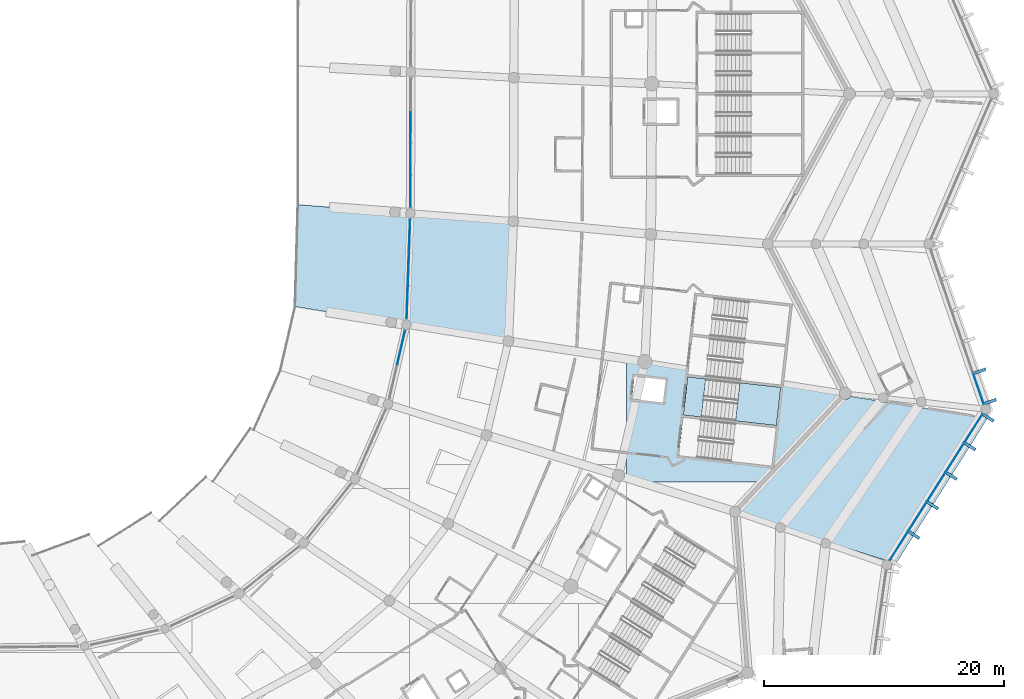
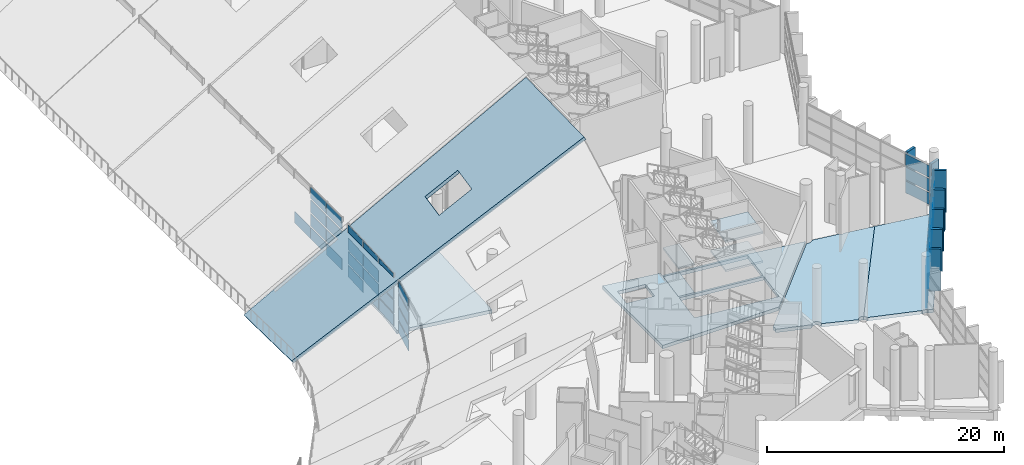
# One storey, part 112 of 249: 50 plates, 9 slabs, 6 elements without a shape of their own.
"""IFC4 building model written with IfcOpenShell, lengths in metres."""

from ifc_helpers import new_model, si_unit, direction, frame, origin, origin_2d, place, context, subcontext, project, spatial, polyline, rectangle, outline, extrude, material, layer, layer_set, type_object, element, aggregate, save


model = new_model("IFC4")

# Units and contexts
model_context = context("Model", 3, precision=1e-05, world=origin(), true_north=direction((0.0, 1.0)))
body_context = subcontext(model_context, "Body", "Model", "MODEL_VIEW")
ifc_project = project(units=[si_unit("LENGTHUNIT", "METRE"), si_unit("AREAUNIT", "SQUARE_METRE"), si_unit("VOLUMEUNIT", "CUBIC_METRE"), si_unit("PLANEANGLEUNIT", "RADIAN"), si_unit("MASSUNIT", "GRAM", prefix="KILO")], contexts=[model_context])

# Site, building, storey
site_placement = place(None, origin())
site = spatial("IfcSite", under=ifc_project, at=site_placement, CompositionType="ELEMENT")
building_placement = place(site_placement, origin())
building = spatial("IfcBuilding", under=site, at=building_placement, Name="Meseta Stadium", CompositionType="ELEMENT")
storey_placement = place(building_placement, frame((0.0, 0.0, 12.0)))
storey = spatial("IfcBuildingStorey", under=building, at=storey_placement, Name="L02", CompositionType="ELEMENT", Elevation=12.0)

# Curtain wall, plates
ifc_material_1 = material(Name="Aluminium", Category="aluminium")
ifc_layer_1 = layer(ifc_material_1, 0.199951171875)
ifc_layer_set_1 = layer_set([ifc_layer_1], Name="Suite glazing curtain wall")
curtain_wall_type_1 = type_object("IfcCurtainWallType", Name="Suite glazing curtain wall", PredefinedType="NOTDEFINED", material=ifc_layer_set_1)
curtain_wall_1_placement = place(storey_placement, origin())
curtain_wall_1 = element("IfcCurtainWall", 1, at=curtain_wall_1_placement, inside=storey, type_object=curtain_wall_type_1, Name="Suite glazing bay 00", PredefinedType="NOTDEFINED")
ifc_material_2 = material(Name="Glass", Category="glass")
ifc_layer_2 = layer(ifc_material_2, 0.035888671875)
ifc_layer_set_2 = layer_set([ifc_layer_2], Name="CW glass panel 36")
plate_type_1 = type_object("IfcPlateType", Name="CW glass panel 36", PredefinedType="CURTAIN_PANEL", material=ifc_layer_set_2)
plate_1_placement = place(storey_placement, frame((64.568359375, -48.5966796875, 0.14990234375), z_axis=(0.0, 0.0, 1.0), x_axis=(0.035370706156, 0.999374260798, 0.0)))
plate_1 = element("IfcPlate", 2, at=plate_1_placement, type_object=plate_type_1, Name="CWS panel 1.1", PredefinedType="CURTAIN_PANEL", context=body_context, shape_type="SweptSolid", body=[
    extrude(rectangle(XDim=2.68310546875, YDim=0.035888671875, at=origin_2d()), origin(), (0.0, 0.0, 1.0), 1.1875),
])
plate_2_placement = place(storey_placement, frame((64.568359375, -48.5966796875, 1.4873046875), z_axis=(0.0, 0.0, 1.0), x_axis=(0.035370706156, 0.999374260798, 0.0)))
plate_2 = element("IfcPlate", 3, at=plate_2_placement, type_object=plate_type_1, Name="CWS panel 1.2", PredefinedType="CURTAIN_PANEL", context=body_context, shape_type="SweptSolid", body=[
    extrude(rectangle(XDim=2.68310546875, YDim=0.035888671875, at=origin_2d()), origin(), (0.0, 0.0, 1.0), 1.262451171875),
])
plate_3_placement = place(storey_placement, frame((64.568359375, -48.5966796875, 2.89990234375), z_axis=(0.0, 0.0, 1.0), x_axis=(0.035370706156, 0.999374260798, 0.0)))
plate_3 = element("IfcPlate", 4, at=plate_3_placement, type_object=plate_type_1, Name="CWS panel 1.3", PredefinedType="CURTAIN_PANEL", context=body_context, shape_type="SweptSolid", body=[
    extrude(rectangle(XDim=2.68310546875, YDim=0.035888671875, at=origin_2d()), origin(), (0.0, 0.0, 1.0), 1.262451171875),
])
plate_4_placement = place(storey_placement, frame((64.568359375, -48.5966796875, 4.3125), z_axis=(0.0, 0.0, 1.0), x_axis=(0.035370706156, 0.999374260798, 0.0)))
plate_4 = element("IfcPlate", 5, at=plate_4_placement, type_object=plate_type_1, Name="CWS panel 1.4", PredefinedType="CURTAIN_PANEL", context=body_context, shape_type="SweptSolid", body=[
    extrude(rectangle(XDim=2.68310546875, YDim=0.035888671875, at=origin_2d()), origin(), (0.0, 0.0, 1.0), 1.1875),
])
plate_5_placement = place(storey_placement, frame((64.665771484375, -45.840087890625, 0.14990234375), z_axis=(0.0, 0.0, 1.0), x_axis=(0.035370706156, 0.999374260798, 0.0)))
plate_5 = element("IfcPlate", 6, at=plate_5_placement, type_object=plate_type_1, Name="CWS panel 2.1", PredefinedType="CURTAIN_PANEL", context=body_context, shape_type="SweptSolid", body=[
    extrude(rectangle(XDim=2.713134765625, YDim=0.035888671875, at=origin_2d()), origin(), (0.0, 0.0, 1.0), 1.1875),
])
plate_6_placement = place(storey_placement, frame((64.665771484375, -45.840087890625, 1.4873046875), z_axis=(0.0, 0.0, 1.0), x_axis=(0.035370706156, 0.999374260798, 0.0)))
plate_6 = element("IfcPlate", 7, at=plate_6_placement, type_object=plate_type_1, Name="CWS panel 2.2", PredefinedType="CURTAIN_PANEL", context=body_context, shape_type="SweptSolid", body=[
    extrude(rectangle(XDim=2.713134765625, YDim=0.035888671875, at=origin_2d()), origin(), (0.0, 0.0, 1.0), 1.262451171875),
])
plate_7_placement = place(storey_placement, frame((64.665771484375, -45.840087890625, 2.89990234375), z_axis=(0.0, 0.0, 1.0), x_axis=(0.035370706156, 0.999374260798, 0.0)))
plate_7 = element("IfcPlate", 8, at=plate_7_placement, type_object=plate_type_1, Name="CWS panel 2.3", PredefinedType="CURTAIN_PANEL", context=body_context, shape_type="SweptSolid", body=[
    extrude(rectangle(XDim=2.713134765625, YDim=0.035888671875, at=origin_2d()), origin(), (0.0, 0.0, 1.0), 1.262451171875),
])
plate_8_placement = place(storey_placement, frame((64.665771484375, -45.840087890625, 4.3125), z_axis=(0.0, 0.0, 1.0), x_axis=(0.035370706156, 0.999374260798, 0.0)))
plate_8 = element("IfcPlate", 9, at=plate_8_placement, type_object=plate_type_1, Name="CWS panel 2.4", PredefinedType="CURTAIN_PANEL", context=body_context, shape_type="SweptSolid", body=[
    extrude(rectangle(XDim=2.713134765625, YDim=0.035888671875, at=origin_2d()), origin(), (0.0, 0.0, 1.0), 1.1875),
])
plate_9_placement = place(storey_placement, frame((64.763427734375, -43.083740234375, 0.14990234375), z_axis=(0.0, 0.0, 1.0), x_axis=(0.035370706156, 0.999374260798, 0.0)))
plate_9 = element("IfcPlate", 10, at=plate_9_placement, type_object=plate_type_1, Name="CWS panel 3.1", PredefinedType="CURTAIN_PANEL", context=body_context, shape_type="SweptSolid", body=[
    extrude(rectangle(XDim=2.68310546875, YDim=0.035888671875, at=origin_2d()), origin(), (0.0, 0.0, 1.0), 1.1875),
])
plate_10_placement = place(storey_placement, frame((64.763427734375, -43.083740234375, 1.4873046875), z_axis=(0.0, 0.0, 1.0), x_axis=(0.035370706156, 0.999374260798, 0.0)))
plate_10 = element("IfcPlate", 11, at=plate_10_placement, type_object=plate_type_1, Name="CWS panel 3.2", PredefinedType="CURTAIN_PANEL", context=body_context, shape_type="SweptSolid", body=[
    extrude(rectangle(XDim=2.68310546875, YDim=0.035888671875, at=origin_2d()), origin(), (0.0, 0.0, 1.0), 1.262451171875),
])
plate_11_placement = place(storey_placement, frame((64.763427734375, -43.083740234375, 2.89990234375), z_axis=(0.0, 0.0, 1.0), x_axis=(0.035370706156, 0.999374260798, 0.0)))
plate_11 = element("IfcPlate", 12, at=plate_11_placement, type_object=plate_type_1, Name="CWS panel 3.3", PredefinedType="CURTAIN_PANEL", context=body_context, shape_type="SweptSolid", body=[
    extrude(rectangle(XDim=2.68310546875, YDim=0.035888671875, at=origin_2d()), origin(), (0.0, 0.0, 1.0), 1.262451171875),
])
plate_12_placement = place(storey_placement, frame((64.763427734375, -43.083740234375, 4.3125), z_axis=(0.0, 0.0, 1.0), x_axis=(0.035370706156, 0.999374260798, 0.0)))
plate_12 = element("IfcPlate", 13, at=plate_12_placement, type_object=plate_type_1, Name="CWS panel 3.4", PredefinedType="CURTAIN_PANEL", context=body_context, shape_type="SweptSolid", body=[
    extrude(rectangle(XDim=2.68310546875, YDim=0.035888671875, at=origin_2d()), origin(), (0.0, 0.0, 1.0), 1.1875),
])
aggregate(curtain_wall_1, [plate_1, plate_2, plate_3, plate_4, plate_5, plate_6, plate_7, plate_8, plate_9, plate_10, plate_11, plate_12])

curtain_wall_2_placement = place(storey_placement, origin())
curtain_wall_2 = element("IfcCurtainWall", 14, at=curtain_wall_2_placement, inside=storey, type_object=curtain_wall_type_1, Name="Suite glazing bay 01", PredefinedType="NOTDEFINED")
plate_13_placement = place(storey_placement, frame((64.835205078125, -39.357421875, 0.14990234375), z_axis=(0.0, 0.0, 1.0), x_axis=(0.002910007458, 0.999995765919, 0.0)))
plate_13 = element("IfcPlate", 15, at=plate_13_placement, type_object=plate_type_1, Name="CWS panel 1.1", PredefinedType="CURTAIN_PANEL", context=body_context, shape_type="SweptSolid", body=[
    extrude(rectangle(XDim=2.61279296875, YDim=0.035888671875, at=origin_2d()), origin(), (0.0, 0.0, 1.0), 1.1875),
])
plate_14_placement = place(storey_placement, frame((64.835205078125, -39.357421875, 1.4873046875), z_axis=(0.0, 0.0, 1.0), x_axis=(0.002910007458, 0.999995765919, 0.0)))
plate_14 = element("IfcPlate", 16, at=plate_14_placement, type_object=plate_type_1, Name="CWS panel 1.2", PredefinedType="CURTAIN_PANEL", context=body_context, shape_type="SweptSolid", body=[
    extrude(rectangle(XDim=2.61279296875, YDim=0.035888671875, at=origin_2d()), origin(), (0.0, 0.0, 1.0), 1.262451171875),
])
plate_15_placement = place(storey_placement, frame((64.835205078125, -39.357421875, 2.89990234375), z_axis=(0.0, 0.0, 1.0), x_axis=(0.002910007458, 0.999995765919, 0.0)))
plate_15 = element("IfcPlate", 17, at=plate_15_placement, type_object=plate_type_1, Name="CWS panel 1.3", PredefinedType="CURTAIN_PANEL", context=body_context, shape_type="SweptSolid", body=[
    extrude(rectangle(XDim=2.61279296875, YDim=0.035888671875, at=origin_2d()), origin(), (0.0, 0.0, 1.0), 1.262451171875),
])
plate_16_placement = place(storey_placement, frame((64.835205078125, -39.357421875, 4.3125), z_axis=(0.0, 0.0, 1.0), x_axis=(0.002910007458, 0.999995765919, 0.0)))
plate_16 = element("IfcPlate", 18, at=plate_16_placement, type_object=plate_type_1, Name="CWS panel 1.4", PredefinedType="CURTAIN_PANEL", context=body_context, shape_type="SweptSolid", body=[
    extrude(rectangle(XDim=2.61279296875, YDim=0.035888671875, at=origin_2d()), origin(), (0.0, 0.0, 1.0), 1.1875),
])
plate_17_placement = place(storey_placement, frame((64.843017578125, -36.669677734375, 0.14990234375), z_axis=(0.0, 0.0, 1.0), x_axis=(0.002910007458, 0.999995765919, 0.0)))
plate_17 = element("IfcPlate", 19, at=plate_17_placement, type_object=plate_type_1, Name="CWS panel 2.1", PredefinedType="CURTAIN_PANEL", context=body_context, shape_type="SweptSolid", body=[
    extrude(rectangle(XDim=2.642822265625, YDim=0.035888671875, at=origin_2d()), origin(), (0.0, 0.0, 1.0), 1.1875),
])
plate_18_placement = place(storey_placement, frame((64.843017578125, -36.669677734375, 1.4873046875), z_axis=(0.0, 0.0, 1.0), x_axis=(0.002910007458, 0.999995765919, 0.0)))
plate_18 = element("IfcPlate", 20, at=plate_18_placement, type_object=plate_type_1, Name="CWS panel 2.2", PredefinedType="CURTAIN_PANEL", context=body_context, shape_type="SweptSolid", body=[
    extrude(rectangle(XDim=2.642822265625, YDim=0.035888671875, at=origin_2d()), origin(), (0.0, 0.0, 1.0), 1.262451171875),
])
plate_19_placement = place(storey_placement, frame((64.843017578125, -36.669677734375, 2.89990234375), z_axis=(0.0, 0.0, 1.0), x_axis=(0.002910007458, 0.999995765919, 0.0)))
plate_19 = element("IfcPlate", 21, at=plate_19_placement, type_object=plate_type_1, Name="CWS panel 2.3", PredefinedType="CURTAIN_PANEL", context=body_context, shape_type="SweptSolid", body=[
    extrude(rectangle(XDim=2.642822265625, YDim=0.035888671875, at=origin_2d()), origin(), (0.0, 0.0, 1.0), 1.262451171875),
])
plate_20_placement = place(storey_placement, frame((64.843017578125, -36.669677734375, 4.3125), z_axis=(0.0, 0.0, 1.0), x_axis=(0.002910007458, 0.999995765919, 0.0)))
plate_20 = element("IfcPlate", 22, at=plate_20_placement, type_object=plate_type_1, Name="CWS panel 2.4", PredefinedType="CURTAIN_PANEL", context=body_context, shape_type="SweptSolid", body=[
    extrude(rectangle(XDim=2.642822265625, YDim=0.035888671875, at=origin_2d()), origin(), (0.0, 0.0, 1.0), 1.1875),
])
plate_21_placement = place(storey_placement, frame((64.85107421875, -33.967041015625, 0.14990234375), z_axis=(0.0, 0.0, 1.0), x_axis=(0.002910007458, 0.999995765919, 0.0)))
plate_21 = element("IfcPlate", 23, at=plate_21_placement, type_object=plate_type_1, Name="CWS panel 3.1", PredefinedType="CURTAIN_PANEL", context=body_context, shape_type="SweptSolid", body=[
    extrude(rectangle(XDim=2.642822265625, YDim=0.035888671875, at=origin_2d()), origin(), (0.0, 0.0, 1.0), 1.1875),
])
aggregate(curtain_wall_2, [plate_13, plate_14, plate_15, plate_16, plate_17, plate_18, plate_19, plate_20, plate_21])

curtain_wall_3_placement = place(storey_placement, origin())
curtain_wall_3 = element("IfcCurtainWall", 24, at=curtain_wall_3_placement, inside=storey, type_object=curtain_wall_type_1, Name="Suite glazing bay 55", PredefinedType="NOTDEFINED")
plate_22_placement = place(storey_placement, frame((64.0595703125, -52.38427734375, 0.14990234375), z_axis=(0.0, 0.0, 1.0), x_axis=(0.226148413492, 0.974092857522, 0.0)))
plate_22 = element("IfcPlate", 25, at=plate_22_placement, type_object=plate_type_1, Name="CWS panel 2.1", PredefinedType="CURTAIN_PANEL", context=body_context, shape_type="SweptSolid", body=[
    extrude(rectangle(XDim=2.830322265625, YDim=0.035888671875, at=origin_2d()), origin(), (0.0, 0.0, 1.0), 1.1875),
])
plate_23_placement = place(storey_placement, frame((64.0595703125, -52.38427734375, 1.4873046875), z_axis=(0.0, 0.0, 1.0), x_axis=(0.226148413492, 0.974092857522, 0.0)))
plate_23 = element("IfcPlate", 26, at=plate_23_placement, type_object=plate_type_1, Name="CWS panel 2.2", PredefinedType="CURTAIN_PANEL", context=body_context, shape_type="SweptSolid", body=[
    extrude(rectangle(XDim=2.830322265625, YDim=0.035888671875, at=origin_2d()), origin(), (0.0, 0.0, 1.0), 1.262451171875),
])
plate_24_placement = place(storey_placement, frame((64.0595703125, -52.38427734375, 2.89990234375), z_axis=(0.0, 0.0, 1.0), x_axis=(0.226148413492, 0.974092857522, 0.0)))
plate_24 = element("IfcPlate", 27, at=plate_24_placement, type_object=plate_type_1, Name="CWS panel 2.3", PredefinedType="CURTAIN_PANEL", context=body_context, shape_type="SweptSolid", body=[
    extrude(rectangle(XDim=2.830322265625, YDim=0.035888671875, at=origin_2d()), origin(), (0.0, 0.0, 1.0), 1.262451171875),
])
plate_25_placement = place(storey_placement, frame((64.0595703125, -52.38427734375, 4.3125), z_axis=(0.0, 0.0, 1.0), x_axis=(0.226148413492, 0.974092857522, 0.0)))
plate_25 = element("IfcPlate", 28, at=plate_25_placement, type_object=plate_type_1, Name="CWS panel 2.4", PredefinedType="CURTAIN_PANEL", context=body_context, shape_type="SweptSolid", body=[
    extrude(rectangle(XDim=2.830322265625, YDim=0.035888671875, at=origin_2d()), origin(), (0.0, 0.0, 1.0), 1.1875),
])
aggregate(curtain_wall_3, [plate_22, plate_23, plate_24, plate_25])

# Slabs
ifc_material_3 = material(Name="Concrete C40/50", Category="concrete")
ifc_layer_3 = layer(ifc_material_3, 0.35009765625)
ifc_layer_set_3 = layer_set([ifc_layer_3], Name="Floor slab 350")
slab_type_1 = type_object("IfcSlabType", Name="Floor slab 350", PredefinedType="FLOOR", material=ifc_layer_set_3)
slab_1_placement = place(storey_placement, frame((0.0, 0.0, -0.35009765625)))
element("IfcSlab", 29, at=slab_1_placement, inside=storey, type_object=slab_type_1, Name="Floor slab L02 sector 00 panel 01", PredefinedType="FLOOR", context=body_context, shape_type="SweptSolid", body=[
    extrude(outline(polyline([(64.638427734375, -49.352783203125), (64.502685546875, -50.4697265625), (72.99267578125, -51.837158203125), (73.40478515625, -41.8623046875), (64.829833984375, -41.2041015625), (64.80859375, -47.08837890625), (64.740966796875, -48.221923828125), (64.638427734375, -49.352783203125)])), origin(), (0.0, 0.0, 1.0), 0.35009765625),
])
slab_2_placement = place(storey_placement, frame((0.0, 0.0, -0.35009765625)))
element("IfcSlab", 30, at=slab_2_placement, inside=storey, type_object=slab_type_1, Name="Floor slab L02 sector 49 panel 14", PredefinedType="FLOOR", context=body_context, shape_type="SweptSolid", body=[
    extrude(outline(polyline([(94.17626953125, -63.580078125), (100.910888671875, -56.353759765625), (95.3837890625, -55.463623046875), (87.94580078125, -54.62548828125), (87.985595703125, -54.272216796875), (82.8271484375, -53.44140625), (82.8271484375, -63.580078125), (94.17626953125, -63.580078125)]), holes=[polyline([(87.542724609375, -58.202880859375), (95.293701171875, -59.076171875), (94.935302734375, -62.256103515625), (87.1845703125, -61.3828125), (87.542724609375, -58.202880859375)]), polyline([(87.923583984375, -54.82421875), (95.67431640625, -55.697509765625), (95.316162109375, -58.87744140625), (87.565185546875, -58.004150390625), (87.923583984375, -54.82421875)]), polyline([(83.500732421875, -54.77880859375), (86.08447265625, -55.06982421875), (85.87158203125, -56.9580078125), (83.2880859375, -56.6669921875), (83.500732421875, -54.77880859375)])]), origin(), (0.0, 0.0, 1.0), 0.35009765625),
])
slab_3_placement = place(storey_placement, frame((0.0, 0.0, -0.35009765625)))
element("IfcSlab", 31, at=slab_3_placement, inside=storey, type_object=slab_type_1, Name="Ring floor slab L02 8 part 1 panel 02", PredefinedType="FLOOR", context=body_context, shape_type="SweptSolid", body=[
    extrude(outline(polyline([(92.27294921875, -65.842041015625), (92.31103515625, -65.93408203125), (92.32666015625, -66.051513671875), (92.31103515625, -66.1689453125), (92.265869140625, -66.278564453125), (92.2578125, -66.2890625), (95.272705078125, -67.234375), (95.298828125, -67.1708984375), (95.363037109375, -67.08740234375), (95.446533203125, -67.023193359375), (95.543701171875, -66.98291015625), (95.648193359375, -66.96923828125), (95.752685546875, -66.98291015625), (95.85009765625, -67.023193359375), (95.93359375, -67.08740234375), (95.997802734375, -67.1708984375), (96.0380859375, -67.268310546875), (96.0517578125, -67.372802734375), (96.038330078125, -67.474365234375), (96.0263671875, -67.5048828125), (99.045654296875, -68.5615234375), (99.074462890625, -68.4921875), (99.138427734375, -68.408447265625), (99.22216796875, -68.344482421875), (99.3193359375, -68.30419921875), (99.423828125, -68.290283203125), (99.5283203125, -68.30419921875), (99.62548828125, -68.344482421875), (99.64794921875, -68.361572265625), (107.08056640625, -57.347412109375), (104.39697265625, -56.915283203125), (104.31640625, -56.948486328125), (104.2119140625, -56.96240234375), (104.107666015625, -56.948486328125), (104.01025390625, -56.908203125), (103.9267578125, -56.84423828125), (103.922607421875, -56.8388671875), (101.49169921875, -56.447265625), (101.48828125, -56.455078125), (101.408203125, -56.559326171875), (101.3037109375, -56.6396484375), (101.18212890625, -56.68994140625), (101.0517578125, -56.70703125), (100.921142578125, -56.68994140625), (100.835693359375, -56.654541015625), (92.27294921875, -65.842041015625)])), origin(), (0.0, 0.0, 1.0), 0.35009765625),
])
slab_4_placement = place(storey_placement, frame((0.0, 0.0, -0.35009765625)))
element("IfcSlab", 32, at=slab_4_placement, inside=storey, type_object=slab_type_1, Name="Ring floor slab L02 8 part 1 panel 05", PredefinedType="FLOOR", context=body_context, shape_type="SweptSolid", body=[
    extrude(outline(polyline([(104.625244140625, -70.087646484375), (104.722412109375, -70.1279296875), (104.805908203125, -70.19189453125), (104.837646484375, -70.233154296875), (105.27880859375, -70.37158203125), (112.895263671875, -58.283935546875), (107.08056640625, -57.347412109375), (99.64794921875, -68.361572265625), (99.708984375, -68.408447265625), (99.773193359375, -68.4921875), (99.8134765625, -68.58935546875), (99.822998046875, -68.660888671875), (104.397705078125, -70.09521484375), (104.416259765625, -70.087646484375), (104.520751953125, -70.073974609375), (104.625244140625, -70.087646484375)])), origin(), (0.0, 0.0, 1.0), 0.35009765625),
])

# Curtain wall, plates
ifc_material_4 = material(Name="Aluminium", Category="aluminium")
ifc_layer_4 = layer(ifc_material_4, 0.199951171875)
ifc_layer_set_4 = layer_set([ifc_layer_4], Name="Ring shopfront curtain wall")
curtain_wall_type_2 = type_object("IfcCurtainWallType", Name="Ring shopfront curtain wall", PredefinedType="NOTDEFINED", material=ifc_layer_set_4)
curtain_wall_4_placement = place(storey_placement, origin())
curtain_wall_4 = element("IfcCurtainWall", 33, at=curtain_wall_4_placement, inside=storey, type_object=curtain_wall_type_2, Name="Ring glazing L02 F55", PredefinedType="NOTDEFINED")
ifc_material_5 = material(Name="Glass", Category="glass")
ifc_layer_5 = layer(ifc_material_5, 0.035888671875)
ifc_layer_set_5 = layer_set([ifc_layer_5], Name="Ring CW glass panel 36")
plate_type_2 = type_object("IfcPlateType", Name="Ring CW glass panel 36", PredefinedType="CURTAIN_PANEL", material=ifc_layer_set_5)
plate_26_placement = place(storey_placement, frame((105.52197265625, -68.898681640625, 0.14990234375), z_axis=(0.0, 0.0, 1.0), x_axis=(0.535569055659, 0.844491436677, 0.0)))
plate_26 = element("IfcPlate", 34, at=plate_26_placement, type_object=plate_type_2, Name="CWR1 panel 1.1", PredefinedType="CURTAIN_PANEL", context=body_context, shape_type="SweptSolid", body=[
    extrude(rectangle(XDim=2.81884765625, YDim=0.035888671875, at=origin_2d()), origin(), (0.0, 0.0, 1.0), 1.208251953125),
])
plate_27_placement = place(storey_placement, frame((105.52197265625, -68.898681640625, 1.50830078125), z_axis=(0.0, 0.0, 1.0), x_axis=(0.535569055659, 0.844491436677, 0.0)))
plate_27 = element("IfcPlate", 35, at=plate_27_placement, type_object=plate_type_2, Name="CWR1 panel 1.2", PredefinedType="CURTAIN_PANEL", context=body_context, shape_type="SweptSolid", body=[
    extrude(rectangle(XDim=2.81884765625, YDim=0.035888671875, at=origin_2d()), origin(), (0.0, 0.0, 1.0), 1.283447265625),
])
plate_28_placement = place(storey_placement, frame((105.52197265625, -68.898681640625, 2.94189453125), z_axis=(0.0, 0.0, 1.0), x_axis=(0.535569055659, 0.844491436677, 0.0)))
plate_28 = element("IfcPlate", 36, at=plate_28_placement, type_object=plate_type_2, Name="CWR1 panel 1.3", PredefinedType="CURTAIN_PANEL", context=body_context, shape_type="SweptSolid", body=[
    extrude(rectangle(XDim=2.81884765625, YDim=0.035888671875, at=origin_2d()), origin(), (0.0, 0.0, 1.0), 1.208251953125),
])
plate_29_placement = place(storey_placement, frame((107.07177734375, -66.454833984375, 0.14990234375), z_axis=(0.0, 0.0, 1.0), x_axis=(0.535569055659, 0.844491436677, 0.0)))
plate_29 = element("IfcPlate", 37, at=plate_29_placement, type_object=plate_type_2, Name="CWR1 panel 2.1", PredefinedType="CURTAIN_PANEL", context=body_context, shape_type="SweptSolid", body=[
    extrude(rectangle(XDim=2.848876953125, YDim=0.035888671875, at=origin_2d()), origin(), (0.0, 0.0, 1.0), 1.208251953125),
])
plate_30_placement = place(storey_placement, frame((107.07177734375, -66.454833984375, 1.50830078125), z_axis=(0.0, 0.0, 1.0), x_axis=(0.535569055659, 0.844491436677, 0.0)))
plate_30 = element("IfcPlate", 38, at=plate_30_placement, type_object=plate_type_2, Name="CWR1 panel 2.2", PredefinedType="CURTAIN_PANEL", context=body_context, shape_type="SweptSolid", body=[
    extrude(rectangle(XDim=2.848876953125, YDim=0.035888671875, at=origin_2d()), origin(), (0.0, 0.0, 1.0), 1.283447265625),
])
plate_31_placement = place(storey_placement, frame((107.07177734375, -66.454833984375, 2.94189453125), z_axis=(0.0, 0.0, 1.0), x_axis=(0.535569055659, 0.844491436677, 0.0)))
plate_31 = element("IfcPlate", 39, at=plate_31_placement, type_object=plate_type_2, Name="CWR1 panel 2.3", PredefinedType="CURTAIN_PANEL", context=body_context, shape_type="SweptSolid", body=[
    extrude(rectangle(XDim=2.848876953125, YDim=0.035888671875, at=origin_2d()), origin(), (0.0, 0.0, 1.0), 1.208251953125),
])
plate_32_placement = place(storey_placement, frame((108.629638671875, -63.99853515625, 0.14990234375), z_axis=(0.0, 0.0, 1.0), x_axis=(0.535569055659, 0.844491436677, 0.0)))
plate_32 = element("IfcPlate", 40, at=plate_32_placement, type_object=plate_type_2, Name="CWR1 panel 3.1", PredefinedType="CURTAIN_PANEL", context=body_context, shape_type="SweptSolid", body=[
    extrude(rectangle(XDim=2.848876953125, YDim=0.035888671875, at=origin_2d()), origin(), (0.0, 0.0, 1.0), 1.208251953125),
])
plate_33_placement = place(storey_placement, frame((108.629638671875, -63.99853515625, 1.50830078125), z_axis=(0.0, 0.0, 1.0), x_axis=(0.535569055659, 0.844491436677, 0.0)))
plate_33 = element("IfcPlate", 41, at=plate_33_placement, type_object=plate_type_2, Name="CWR1 panel 3.2", PredefinedType="CURTAIN_PANEL", context=body_context, shape_type="SweptSolid", body=[
    extrude(rectangle(XDim=2.848876953125, YDim=0.035888671875, at=origin_2d()), origin(), (0.0, 0.0, 1.0), 1.283447265625),
])
plate_34_placement = place(storey_placement, frame((108.629638671875, -63.99853515625, 2.94189453125), z_axis=(0.0, 0.0, 1.0), x_axis=(0.535569055659, 0.844491436677, 0.0)))
plate_34 = element("IfcPlate", 42, at=plate_34_placement, type_object=plate_type_2, Name="CWR1 panel 3.3", PredefinedType="CURTAIN_PANEL", context=body_context, shape_type="SweptSolid", body=[
    extrude(rectangle(XDim=2.848876953125, YDim=0.035888671875, at=origin_2d()), origin(), (0.0, 0.0, 1.0), 1.208251953125),
])
plate_35_placement = place(storey_placement, frame((110.1875, -61.5419921875, 0.14990234375), z_axis=(0.0, 0.0, 1.0), x_axis=(0.535569055659, 0.844491436677, 0.0)))
plate_35 = element("IfcPlate", 43, at=plate_35_placement, type_object=plate_type_2, Name="CWR1 panel 4.1", PredefinedType="CURTAIN_PANEL", context=body_context, shape_type="SweptSolid", body=[
    extrude(rectangle(XDim=2.848876953125, YDim=0.035888671875, at=origin_2d()), origin(), (0.0, 0.0, 1.0), 1.208251953125),
])
plate_36_placement = place(storey_placement, frame((110.1875, -61.5419921875, 1.50830078125), z_axis=(0.0, 0.0, 1.0), x_axis=(0.535569055659, 0.844491436677, 0.0)))
plate_36 = element("IfcPlate", 44, at=plate_36_placement, type_object=plate_type_2, Name="CWR1 panel 4.2", PredefinedType="CURTAIN_PANEL", context=body_context, shape_type="SweptSolid", body=[
    extrude(rectangle(XDim=2.848876953125, YDim=0.035888671875, at=origin_2d()), origin(), (0.0, 0.0, 1.0), 1.283447265625),
])
plate_37_placement = place(storey_placement, frame((110.1875, -61.5419921875, 2.94189453125), z_axis=(0.0, 0.0, 1.0), x_axis=(0.535569055659, 0.844491436677, 0.0)))
plate_37 = element("IfcPlate", 45, at=plate_37_placement, type_object=plate_type_2, Name="CWR1 panel 4.3", PredefinedType="CURTAIN_PANEL", context=body_context, shape_type="SweptSolid", body=[
    extrude(rectangle(XDim=2.848876953125, YDim=0.035888671875, at=origin_2d()), origin(), (0.0, 0.0, 1.0), 1.208251953125),
])
plate_38_placement = place(storey_placement, frame((111.7373046875, -59.098388671875, 0.14990234375), z_axis=(0.0, 0.0, 1.0), x_axis=(0.535569055659, 0.844491436677, 0.0)))
plate_38 = element("IfcPlate", 46, at=plate_38_placement, type_object=plate_type_2, Name="CWR1 panel 5.1", PredefinedType="CURTAIN_PANEL", context=body_context, shape_type="SweptSolid", body=[
    extrude(rectangle(XDim=2.81884765625, YDim=0.035888671875, at=origin_2d()), origin(), (0.0, 0.0, 1.0), 1.208251953125),
])
plate_39_placement = place(storey_placement, frame((111.7373046875, -59.098388671875, 1.50830078125), z_axis=(0.0, 0.0, 1.0), x_axis=(0.535569055659, 0.844491436677, 0.0)))
plate_39 = element("IfcPlate", 47, at=plate_39_placement, type_object=plate_type_2, Name="CWR1 panel 5.2", PredefinedType="CURTAIN_PANEL", context=body_context, shape_type="SweptSolid", body=[
    extrude(rectangle(XDim=2.81884765625, YDim=0.035888671875, at=origin_2d()), origin(), (0.0, 0.0, 1.0), 1.283447265625),
])
plate_40_placement = place(storey_placement, frame((111.7373046875, -59.098388671875, 2.94189453125), z_axis=(0.0, 0.0, 1.0), x_axis=(0.535569055659, 0.844491436677, 0.0)))
plate_40 = element("IfcPlate", 48, at=plate_40_placement, type_object=plate_type_2, Name="CWR1 panel 5.3", PredefinedType="CURTAIN_PANEL", context=body_context, shape_type="SweptSolid", body=[
    extrude(rectangle(XDim=2.81884765625, YDim=0.035888671875, at=origin_2d()), origin(), (0.0, 0.0, 1.0), 1.208251953125),
])
aggregate(curtain_wall_4, [plate_26, plate_27, plate_28, plate_29, plate_30, plate_31, plate_32, plate_33, plate_34, plate_35, plate_36, plate_37, plate_38, plate_39, plate_40])

curtain_wall_5_placement = place(storey_placement, origin())
curtain_wall_5 = element("IfcCurtainWall", 49, at=curtain_wall_5_placement, inside=storey, type_object=curtain_wall_type_2, Name="Ring glazing L02 F00", PredefinedType="NOTDEFINED")
plate_41_placement = place(storey_placement, frame((112.155517578125, -55.825927734375, 0.14990234375), z_axis=(0.0, 0.0, 1.0), x_axis=(-0.325385990532, 0.945581280042, 0.0)))
plate_41 = element("IfcPlate", 50, at=plate_41_placement, type_object=plate_type_2, Name="CWR1 panel 1.1", PredefinedType="CURTAIN_PANEL", context=body_context, shape_type="SweptSolid", body=[
    extrude(rectangle(XDim=2.662353515625, YDim=0.035888671875, at=origin_2d()), origin(), (0.0, 0.0, 1.0), 1.208251953125),
])
plate_42_placement = place(storey_placement, frame((112.155517578125, -55.825927734375, 1.50830078125), z_axis=(0.0, 0.0, 1.0), x_axis=(-0.325385990532, 0.945581280042, 0.0)))
plate_42 = element("IfcPlate", 51, at=plate_42_placement, type_object=plate_type_2, Name="CWR1 panel 1.2", PredefinedType="CURTAIN_PANEL", context=body_context, shape_type="SweptSolid", body=[
    extrude(rectangle(XDim=2.662353515625, YDim=0.035888671875, at=origin_2d()), origin(), (0.0, 0.0, 1.0), 1.283447265625),
])
plate_43_placement = place(storey_placement, frame((112.155517578125, -55.825927734375, 2.94189453125), z_axis=(0.0, 0.0, 1.0), x_axis=(-0.325385990532, 0.945581280042, 0.0)))
plate_43 = element("IfcPlate", 52, at=plate_43_placement, type_object=plate_type_2, Name="CWR1 panel 1.3", PredefinedType="CURTAIN_PANEL", context=body_context, shape_type="SweptSolid", body=[
    extrude(rectangle(XDim=2.662353515625, YDim=0.035888671875, at=origin_2d()), origin(), (0.0, 0.0, 1.0), 1.208251953125),
])
aggregate(curtain_wall_5, [plate_41, plate_42, plate_43])

# Plates
ifc_material_6 = material(Name="Precast concrete C40/50", Category="concrete")
ifc_layer_6 = layer(ifc_material_6, 0.25)
ifc_layer_set_6 = layer_set([ifc_layer_6], Name="Ring brise-soleil fin 250x1000")
plate_type_3 = type_object("IfcPlateType", Name="Ring brise-soleil fin 250x1000", PredefinedType="USERDEFINED", material=ifc_layer_set_6)
for number, where, z_axis, x_axis, name in (
    (53, (106.799560546875, -68.00439453125, 0.0), (0.0, 0.0, 1.0), (0.5355688847, 0.844491545098, 0.0), "Brise-soleil fin L02 F55.2"),
    (54, (108.357421875, -65.548095703125, 0.0), (0.0, 0.0, 1.0), (0.5355688847, 0.844491545098, 0.0), "Brise-soleil fin L02 F55.3"),
    (55, (109.915283203125, -63.091552734375, 0.0), (0.0, 0.0, 1.0), (0.5355688847, 0.844491545098, 0.0), "Brise-soleil fin L02 F55.4"),
    (56, (111.472900390625, -60.63525390625, 0.0), (0.0, 0.0, 1.0), (0.5355688847, 0.844491545098, 0.0), "Brise-soleil fin L02 F55.5"),
    (57, (112.99072265625, -58.2421875, 0.0), (0.0, 0.0, 1.0), (0.5355688847, 0.844491545098, 0.0), "Brise-soleil fin L02 F55.6"),
    (58, (113.151123046875, -56.875244140625, 0.0), (0.0, 0.0, 1.0), (-0.325393223316, 0.945578791122, 0.0), "Brise-soleil fin L02 F00.1"),
    (59, (112.280029296875, -54.343505859375, 0.0), (0.0, 0.0, 1.0), (-0.325393223316, 0.945578791122, 0.0), "Brise-soleil fin L02 F00.2"),
):
    element("IfcPlate", number, at=place(storey_placement, frame(where, z_axis=z_axis, x_axis=x_axis)), inside=storey, type_object=plate_type_3, Name=name, ObjectType="FIN", PredefinedType="USERDEFINED", context=body_context, shape_type="SweptSolid", body=[
        extrude(rectangle(XDim=0.25, YDim=1.0, at=origin_2d()), origin(), (0.0, 0.0, 1.0), 4.300048828125),
    ])

# Slab
ifc_material_7 = material(Name="Concrete C40/50", Category="concrete")
ifc_layer_7 = layer(ifc_material_7, 0.35009765625)
ifc_layer_set_7 = layer_set([ifc_layer_7], Name="Seating tier 350")
slab_type_2 = type_object("IfcSlabType", Name="Seating tier 350", PredefinedType="USERDEFINED", material=ifc_layer_set_7)
slab_5_placement = place(storey_placement, frame((55.122802734375, -48.959228515625, -0.760498046875), z_axis=(-0.526298388577, 0.062535597382, 0.847997231859), x_axis=(0.837410435143, -0.134868516052, 0.52967371701)))
element("IfcSlab", 60, at=slab_5_placement, inside=storey, type_object=slab_type_2, Name="Stand upper tier bay 01", ObjectType="SEATING TIER", PredefinedType="USERDEFINED", context=body_context, shape_type="SweptSolid", body=[
    extrude(outline(polyline([(0.0, 0.0), (31.124830810299418, 6.661338147750939e-16), (29.846129348857836, 10.60505901318238), (-1.20107172469422, 8.41367660887009), (0.0, 0.0)]), holes=[polyline([(17.23291015625, 3.329345703125), (20.7685546875, 3.45361328125), (20.6630859375, 6.451904296875), (17.127685546875, 6.32763671875), (17.23291015625, 3.329345703125)])]), origin(), (0.0, 0.0, -1.0), 0.35009765625),
])

# Stair, slabs
ifc_material_8 = material(Name="Concrete C40/50", Category="concrete")
stair_type = type_object("IfcStairType", Name="Exit stair 4 flights 150 mm risers", PredefinedType="HALF_TURN_STAIR", material=ifc_material_8)
stair_placement = place(storey_placement, origin())
stair = element("IfcStair", 61, at=stair_placement, inside=storey, type_object=stair_type, Name="ST2 L02", PredefinedType="HALF_TURN_STAIR")
ifc_material_9 = material(Name="Concrete C40/50", Category="concrete")
ifc_layer_8 = layer(ifc_material_9, 0.199951171875)
ifc_layer_set_8 = layer_set([ifc_layer_8], Name="Stair landing 200")
slab_type_3 = type_object("IfcSlabType", Name="Stair landing 200", PredefinedType="LANDING", material=ifc_layer_set_8)
slab_6_placement = place(storey_placement, frame((0.0, 0.0, 1.300048828125)))
slab_6 = element("IfcSlab", 62, at=slab_6_placement, type_object=slab_type_3, Name="ST2 L02 landing 1", PredefinedType="LANDING", context=body_context, shape_type="SweptSolid", body=[
    extrude(outline(polyline([(91.90771484375, -58.493408203125), (95.316162109375, -58.87744140625), (95.67431640625, -55.697509765625), (92.265869140625, -55.3134765625), (91.90771484375, -58.493408203125)])), origin(), (0.0, 0.0, 1.0), 0.199951171875),
])
slab_7_placement = place(storey_placement, frame((0.0, 0.0, 2.800048828125)))
slab_7 = element("IfcSlab", 63, at=slab_7_placement, type_object=slab_type_3, Name="ST2 L02 landing 2", PredefinedType="LANDING", context=body_context, shape_type="SweptSolid", body=[
    extrude(outline(polyline([(87.565185546875, -58.004150390625), (89.065673828125, -58.17333984375), (89.424072265625, -54.993408203125), (87.92333984375, -54.82421875), (87.565185546875, -58.004150390625)])), origin(), (0.0, 0.0, 1.0), 0.199951171875),
])
slab_8_placement = place(storey_placement, frame((0.0, 0.0, 4.300048828125)))
slab_8 = element("IfcSlab", 64, at=slab_8_placement, type_object=slab_type_3, Name="ST2 L02 landing 3", PredefinedType="LANDING", context=body_context, shape_type="SweptSolid", body=[
    extrude(outline(polyline([(91.90771484375, -58.493408203125), (95.316162109375, -58.87744140625), (95.67431640625, -55.697509765625), (92.265869140625, -55.3134765625), (91.90771484375, -58.493408203125)])), origin(), (0.0, 0.0, 1.0), 0.199951171875),
])
slab_9_placement = place(storey_placement, frame((0.0, 0.0, -0.199951171875)))
slab_9 = element("IfcSlab", 65, at=slab_9_placement, type_object=slab_type_3, Name="ST2 L02 landing 4", PredefinedType="LANDING", context=body_context, shape_type="SweptSolid", body=[
    extrude(outline(polyline([(87.565185546875, -58.004150390625), (89.065673828125, -58.17333984375), (89.424072265625, -54.993408203125), (87.92333984375, -54.82421875), (87.565185546875, -58.004150390625)])), origin(), (0.0, 0.0, 1.0), 0.199951171875),
])
aggregate(stair, [slab_6, slab_7, slab_8, slab_9])

save(model, "model.ifc")
